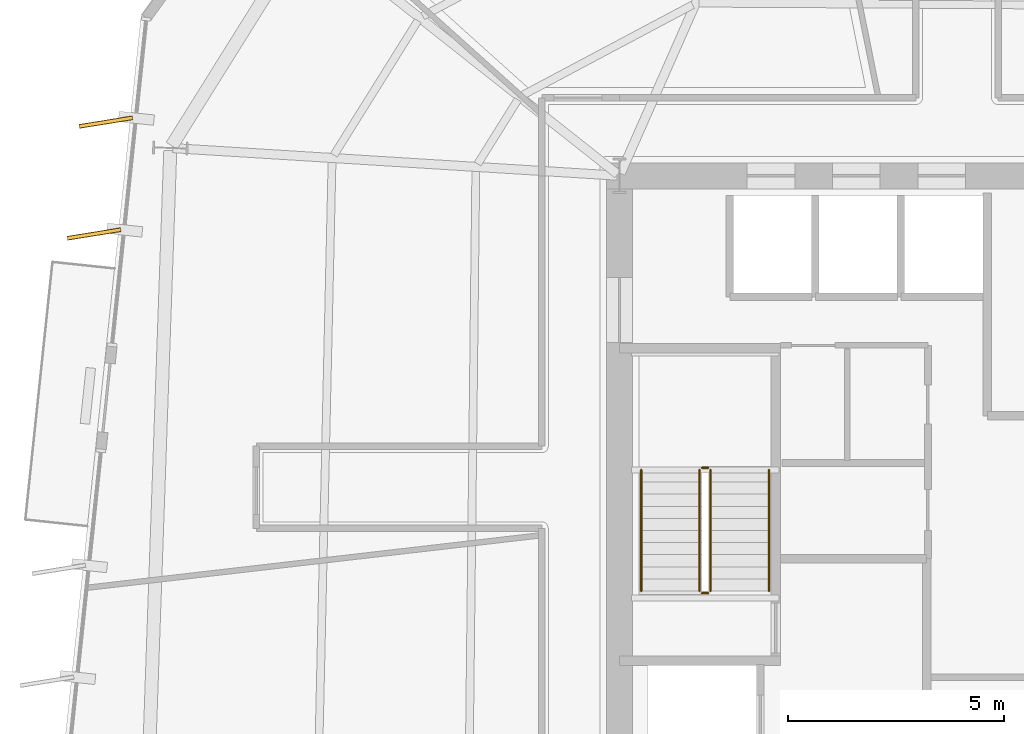
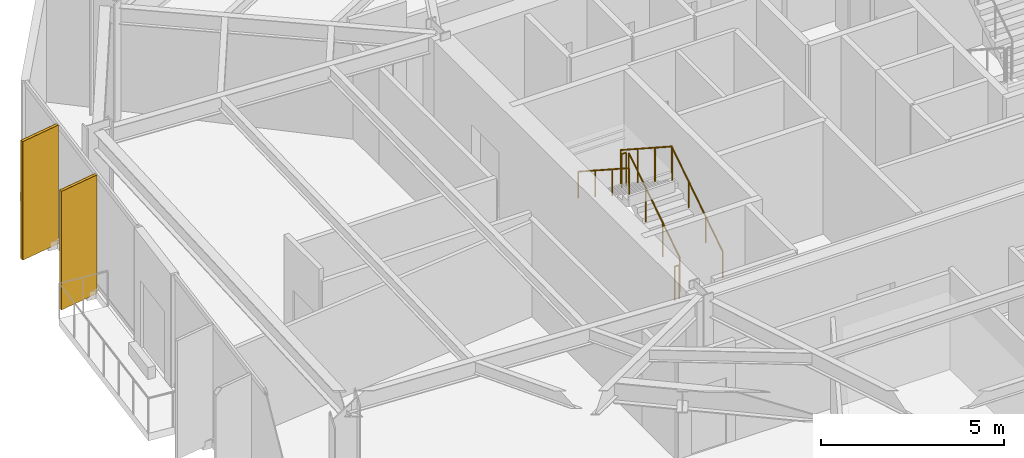
# One storey, part 10 of 13: 6 railings, 2 coverings, 2 shading devices.
"""IFC4 building model written with IfcOpenShell, lengths in metres."""

import ifcopenshell
import ifcopenshell.guid

model = None  # the IFC model being written
_history = None  # IfcOwnerHistory: only IFC2X3 demands one
_inside = {}  # id of a spatial element -> (the spatial element, [elements in it])
_under = {}  # id of a project, library or spatial element -> (it, [spatial elements below it])
_declared = {}  # id of a project -> (the project, [libraries it declares])
_typed = {}  # id of a type object -> (the type object, [elements of that type])
_made_of = {}  # id of a material, layer set ... -> (it, [elements and type objects made of it])


def new_model(schema):
    """Start an empty IFC model of exactly this schema.

    Asked for "IFC4X3", IfcOpenShell would pick the latest addendum, in which some entities
    have other attributes; the version numbers below select the first issue.
    IFC2X3 requires an IfcOwnerHistory on every rooted entity: one is made here for all.
    """
    global model, _history
    if schema == "IFC4X3":
        model = ifcopenshell.file(schema_version=(4, 3, 0, 0))
    else:
        model = ifcopenshell.file(schema=schema)
    _inside.clear()
    _under.clear()
    _declared.clear()
    _typed.clear()
    _made_of.clear()
    _history = None
    if model.schema == "IFC2X3":
        org = make("IfcOrganization", Name="unknown")
        user = make(
            "IfcPersonAndOrganization",
            ThePerson=make("IfcPerson", FamilyName="unknown"),
            TheOrganization=org,
        )
        app = make(
            "IfcApplication",
            ApplicationDeveloper=org,
            Version="unknown",
            ApplicationFullName="unknown",
            ApplicationIdentifier="unknown",
        )
        _history = make(
            "IfcOwnerHistory",
            OwningUser=user,
            OwningApplication=app,
            ChangeAction="ADDED",
            CreationDate=0,
        )
    return model


def make(cls, **values):
    """One entity of the class cls with the attributes given. An attribute that is None is left unset."""
    return model.create_entity(
        cls, **{name: value for name, value in values.items() if value is not None}
    )


def rooted(cls, **values):
    """An entity with a GlobalId (a new one), such as an element, a storey or a relation."""
    return make(cls, GlobalId=ifcopenshell.guid.new(), OwnerHistory=_history, **values)


def si_unit(unit_type, name, prefix=None):
    """IfcSIUnit, for example si_unit("LENGTHUNIT", "METRE", prefix="MILLI")."""
    return make("IfcSIUnit", UnitType=unit_type, Prefix=prefix, Name=name)


def assignment(units):
    """IfcUnitAssignment: the units of a project."""
    return None if units is None else make("IfcUnitAssignment", Units=units)


def point(xyz):
    """IfcCartesianPoint."""
    return None if xyz is None else make("IfcCartesianPoint", Coordinates=xyz)


def direction(xyz):
    """IfcDirection."""
    return None if xyz is None else make("IfcDirection", DirectionRatios=xyz)


def frame(location, z_axis=None, x_axis=None):
    """IfcAxis2Placement3D, a coordinate frame: its origin and axes. An axis left out is left unset."""
    return make(
        "IfcAxis2Placement3D",
        Location=point(location),
        Axis=direction(z_axis),
        RefDirection=direction(x_axis),
    )


def frame_2d(location, x_axis=None):
    """IfcAxis2Placement2D, a coordinate frame in the plane: its origin and x axis."""
    return make(
        "IfcAxis2Placement2D", Location=point(location), RefDirection=direction(x_axis)
    )


def origin():
    """The frame at (0, 0, 0) with its axes left unset."""
    return frame((0.0, 0.0, 0.0))


def origin_2d():
    """The frame at (0, 0) in the plane with its x axis left unset."""
    return frame_2d((0.0, 0.0))


def place(relative_to, where):
    """IfcLocalPlacement: puts the frame where relative to a parent placement (None: the world)."""
    return make(
        "IfcLocalPlacement", PlacementRelTo=relative_to, RelativePlacement=where
    )


def context(
    kind, dimensions, precision=None, world=None, true_north=None, identifier=None
):
    """IfcGeometricRepresentationContext, for example the 3D "Model" context."""
    return make(
        "IfcGeometricRepresentationContext",
        ContextIdentifier=identifier,
        ContextType=kind,
        CoordinateSpaceDimension=dimensions,
        Precision=precision,
        WorldCoordinateSystem=world,
        TrueNorth=true_north,
    )


def subcontext(parent, identifier, kind, view, scale=None):
    """IfcGeometricRepresentationSubContext, for example "Body" below "Model"."""
    return make(
        "IfcGeometricRepresentationSubContext",
        ContextIdentifier=identifier,
        ContextType=kind,
        ParentContext=parent,
        TargetScale=scale,
        TargetView=view,
    )


def project(units=None, contexts=None):
    """IfcProject with its units and contexts."""
    return rooted(
        "IfcProject",
        Name="project",
        RepresentationContexts=contexts,
        UnitsInContext=assignment(units),
    )


def spatial(cls, under=None, at=None, **own):
    """A site, building, storey or space (cls), placed at a placement, below another one or the project."""
    s = rooted(cls, ObjectPlacement=at, **own)
    if under is not None:
        _under.setdefault(under.id(), (under, []))[1].append(s)
    return s


def profile(cls, at=None, kind="AREA", **sizes):
    """A parametric profile (cls). Its sizes go by their IFC names, for example OverallWidth=200.0."""
    return make(cls, ProfileType=kind, Position=at, **sizes)


def rectangle(**sizes):
    """IfcRectangleProfileDef."""
    return profile("IfcRectangleProfileDef", **sizes)


def circle(**sizes):
    """IfcCircleProfileDef."""
    return profile("IfcCircleProfileDef", **sizes)


def extrude(swept, where, along, depth):
    """IfcExtrudedAreaSolid: the profile swept, set in the frame where, extruded along a direction by depth."""
    return make(
        "IfcExtrudedAreaSolid",
        SweptArea=swept,
        Position=where,
        ExtrudedDirection=direction(along),
        Depth=depth,
    )


def shape(context_of_items, identifier, shape_type, items):
    """IfcShapeRepresentation: the items that make up one representation, for example the "Body"."""
    return make(
        "IfcShapeRepresentation",
        ContextOfItems=context_of_items,
        RepresentationIdentifier=identifier,
        RepresentationType=shape_type,
        Items=items,
    )


def material(Name=None, Category=None):
    """IfcMaterial."""
    return make("IfcMaterial", Name=Name, Category=Category)


def layer(
    of_material, thickness, ventilated=None, Name=None, Category=None, Priority=None
):
    """IfcMaterialLayer: one layer of a wall or slab, of a material (None: an air gap)."""
    return make(
        "IfcMaterialLayer",
        Material=of_material,
        LayerThickness=thickness,
        IsVentilated=ventilated,
        Name=Name,
        Category=Category,
        Priority=Priority,
    )


def layer_set(layers, Name=None):
    """IfcMaterialLayerSet."""
    return make("IfcMaterialLayerSet", MaterialLayers=layers, LayerSetName=Name)


def made_of(thing, what):
    """Note that an element or type object is made of a material, layer set ...; save() writes the relation."""
    if what is not None:
        _made_of.setdefault(what.id(), (what, []))[1].append(thing)
    return thing


def type_object(cls, material=None, **own):
    """A type object (cls), such as IfcWallType, which elements share."""
    return made_of(rooted(cls, **own), material)


def element(
    cls,
    number,
    at=None,
    inside=None,
    cuts=None,
    type_object=None,
    material=None,
    context=None,
    identifier="Body",
    shape_type=None,
    held_by="IfcProductDefinitionShape",
    body=None,
    shapes=None,
    **own,
):
    """One element of the class cls, such as IfcWall. Its Tag is "e" and its number.

    at: its placement. inside: the storey or other place that contains it. cuts: it is an
    opening in that element (IfcRelVoidsElement). A single representation is given by context,
    identifier, shape_type and body (its items); several are given by shapes. held_by: the class
    of the entity that holds the representations. save() writes the other relations.
    """
    e = rooted(cls, Tag="e%d" % number, ObjectPlacement=at, **own)
    if body is not None:
        shapes = [shape(context, identifier, shape_type, body)]
    if shapes is not None:
        e.Representation = make(held_by, Representations=shapes)
    if inside is not None:
        _inside.setdefault(inside.id(), (inside, []))[1].append(e)
    if cuts is not None:
        rooted(
            "IfcRelVoidsElement", RelatingBuildingElement=cuts, RelatedOpeningElement=e
        )
    if type_object is not None:
        _typed.setdefault(type_object.id(), (type_object, []))[1].append(e)
    return made_of(e, material)


def aggregate(whole, parts):
    """IfcRelAggregates: a whole, such as a stair, and the parts it consists of."""
    return rooted("IfcRelAggregates", RelatingObject=whole, RelatedObjects=parts)


def save(model, path):
    """Write the relations noted so far, then the file.

    IfcRelAggregates (storeys below a building ...), IfcRelContainedInSpatialStructure (elements
    in a storey), IfcRelDefinesByType, IfcRelAssociatesMaterial and IfcRelDeclares: one each for
    every whole, place, type object, material and project.
    """
    for whole, parts in _under.values():
        aggregate(whole, parts)
    for where, things in _inside.values():
        rooted(
            "IfcRelContainedInSpatialStructure",
            RelatedElements=things,
            RelatingStructure=where,
        )
    for kind, things in _typed.values():
        rooted("IfcRelDefinesByType", RelatedObjects=things, RelatingType=kind)
    for what, things in _made_of.values():
        rooted("IfcRelAssociatesMaterial", RelatedObjects=things, RelatingMaterial=what)
    for by, libraries in _declared.values():
        rooted("IfcRelDeclares", RelatingContext=by, RelatedDefinitions=libraries)
    model.write(path)


model = new_model("IFC4")

# Units and contexts
model_context = context("Model", 3, precision=1e-05, world=origin(), true_north=direction((0.0, 1.0)))
body_context = subcontext(model_context, "Body", "Model", "MODEL_VIEW")
ifc_project = project(units=[si_unit("LENGTHUNIT", "METRE"), si_unit("AREAUNIT", "SQUARE_METRE"), si_unit("VOLUMEUNIT", "CUBIC_METRE"), si_unit("PLANEANGLEUNIT", "RADIAN"), si_unit("MASSUNIT", "GRAM", prefix="KILO")], contexts=[model_context])

# Site, building, storey
site_placement = place(None, origin())
site = spatial("IfcSite", under=ifc_project, at=site_placement, CompositionType="ELEMENT")
building_placement = place(site_placement, origin())
building = spatial("IfcBuilding", under=site, at=building_placement, Name="Kranzbogen Civic Tower", CompositionType="ELEMENT")
storey_placement = place(building_placement, frame((0.0, 0.0, 118.39990234375)))
storey = spatial("IfcBuildingStorey", under=building, at=storey_placement, Name="L28", CompositionType="ELEMENT", Elevation=118.39990234375)

# Coverings
ifc_material_1 = material(Name="Pale Anodised Aluminium", Category="aluminium")
ifc_layer = layer(ifc_material_1, 0.02490234375, Name="Pale Anodised Aluminium")
ifc_layer_set = layer_set([ifc_layer], Name="Pale Anodised Aluminium")
covering_type = type_object("IfcCoveringType", Name="Anodised Aluminium Vertical Fin Cladding 25 mm", PredefinedType="CLADDING", material=ifc_layer_set)
for number, where, z_axis, x_axis, name in (
    (1, (5.321044921875, 33.44091796875, -0.139892578125), (0.0, 0.0, 1.0), (-0.987350238478, -0.158554427807, 0.0), "L28 vertical fin pale-metal cladding F3-1"),
    (2, (5.049072265625, 30.85498046875, -0.139892578125), (0.0, 0.0, 1.0), (-0.987350238478, -0.158554427807, 0.0), "L28 vertical fin pale-metal cladding F3-2"),
):
    element("IfcCovering", number, at=place(storey_placement, frame(where, z_axis=z_axis, x_axis=x_axis)), inside=storey, type_object=covering_type, Name=name, PredefinedType="CLADDING", context=body_context, shape_type="SweptSolid", body=[
        extrude(rectangle(XDim=1.25, YDim=0.10009765625, at=origin_2d()), origin(), (0.0, 0.0, 1.0), 3.9599609375),
    ])

# Shading devices
ifc_material_2 = material(Name="Anodised Bronze Aluminium", Category="aluminium")
shading_device_type = type_object("IfcShadingDeviceType", Name="Anodised Bronze Vertical Facade Fin 1250x80", PredefinedType="USERDEFINED", material=ifc_material_2)
for number, where, z_axis, x_axis, name in (
    (3, (5.321044921875, 33.44091796875, -0.139892578125), (0.0, 0.0, 1.0), (-0.987350238478, -0.158554427807, 0.0), "L28 vertical exterior shading fin F3-1"),
    (4, (5.049072265625, 30.85498046875, -0.139892578125), (0.0, 0.0, 1.0), (-0.987350238478, -0.158554427807, 0.0), "L28 vertical exterior shading fin F3-2"),
):
    element("IfcShadingDevice", number, at=place(storey_placement, frame(where, z_axis=z_axis, x_axis=x_axis)), inside=storey, type_object=shading_device_type, Name=name, ObjectType="FIN", PredefinedType="USERDEFINED", context=body_context, shape_type="SweptSolid", body=[
        extrude(rectangle(XDim=1.25, YDim=0.080078125, at=origin_2d()), origin(), (0.0, 0.0, 1.0), 3.9599609375),
    ])

# Railings
ifc_material_3 = material(Name="Steel S355", Category="steel")
railing_type_1 = type_object("IfcRailingType", Name="Internal Stair and Void Steel Guardrail 1150", PredefinedType="GUARDRAIL", material=ifc_material_3)
railing_1_placement = place(storey_placement, frame((19.300048828125, 22.60009765625, 0.181884765625)))
element("IfcRailing", 5, at=railing_1_placement, inside=storey, type_object=railing_type_1, Name="L28 ST-T1 stair guard 1", PredefinedType="GUARDRAIL", context=body_context, shape_type="SweptSolid", body=[
    extrude(circle(Radius=0.02392578125, at=origin_2d()), frame((0.0, 0.0, 1.1259765625), z_axis=(0.0, 0.83868413941, 0.544618136222), x_axis=(-1.0, 0.0, 0.0)), (0.0, 0.0, 1.0), 3.33837890625),
    extrude(circle(Radius=0.02099609375, at=origin_2d()), origin(), (0.0, 0.0, 1.0), 1.101806640625),
    extrude(circle(Radius=0.02099609375, at=origin_2d()), frame((0.0, 0.933349609375, 0.60595703125)), (0.0, 0.0, 1.0), 1.101806640625),
    extrude(circle(Radius=0.02099609375, at=origin_2d()), frame((0.0, 1.866455078125, 1.212158203125)), (0.0, 0.0, 1.0), 1.101806640625),
    extrude(circle(Radius=0.02099609375, at=origin_2d()), frame((0.0, 2.7998046875, 1.818115234375)), (0.0, 0.0, 1.0), 1.101806640625),
])
railing_2_placement = place(storey_placement, frame((19.25, 25.449951171875, 2.0)))
element("IfcRailing", 6, at=railing_2_placement, inside=storey, type_object=railing_type_1, Name="L28 ST-T1 stair guard 2", PredefinedType="GUARDRAIL", context=body_context, shape_type="SweptSolid", body=[
    extrude(circle(Radius=0.02392578125, at=origin_2d()), frame((0.0, 0.0, 1.1259765625), z_axis=(-1.0, 0.0, 0.0), x_axis=(0.0, -1.0, 0.0)), (0.0, 0.0, 1.0), 0.14990234375),
    extrude(circle(Radius=0.02099609375, at=origin_2d()), origin(), (0.0, 0.0, 1.0), 1.101806640625),
    extrude(circle(Radius=0.02099609375, at=origin_2d()), frame((-0.14990234375, 0.0, 0.0)), (0.0, 0.0, 1.0), 1.101806640625),
])
railing_3_placement = place(storey_placement, frame((19.050048828125, 25.39990234375, 2.181884765625)))
element("IfcRailing", 7, at=railing_3_placement, inside=storey, type_object=railing_type_1, Name="L28 ST-T1 stair guard 3", PredefinedType="GUARDRAIL", context=body_context, shape_type="SweptSolid", body=[
    extrude(circle(Radius=0.02392578125, at=origin_2d()), frame((0.0, 0.0, 1.1259765625), z_axis=(0.0, -0.83868413941, 0.544618136222), x_axis=(1.0, 0.0, 0.0)), (0.0, 0.0, 1.0), 3.33837890625),
    extrude(circle(Radius=0.02099609375, at=origin_2d()), origin(), (0.0, 0.0, 1.0), 1.101806640625),
    extrude(circle(Radius=0.02099609375, at=origin_2d()), frame((0.0, -0.933349609375, 0.60595703125)), (0.0, 0.0, 1.0), 1.101806640625),
    extrude(circle(Radius=0.02099609375, at=origin_2d()), frame((0.0, -1.866455078125, 1.212158203125)), (0.0, 0.0, 1.0), 1.101806640625),
    extrude(circle(Radius=0.02099609375, at=origin_2d()), frame((0.0, -2.7998046875, 1.818115234375)), (0.0, 0.0, 1.0), 1.101806640625),
])
railing_4_placement = place(storey_placement, frame((19.25, 22.550048828125, 0.0)))
element("IfcRailing", 8, at=railing_4_placement, inside=storey, type_object=railing_type_1, Name="L28 ST-T1 stair guard 4", PredefinedType="GUARDRAIL", context=body_context, shape_type="SweptSolid", body=[
    extrude(circle(Radius=0.02392578125, at=origin_2d()), frame((0.0, 0.0, 1.1259765625), z_axis=(-1.0, 0.0, 0.0), x_axis=(0.0, -1.0, 0.0)), (0.0, 0.0, 1.0), 0.14990234375),
    extrude(circle(Radius=0.02099609375, at=origin_2d()), origin(), (0.0, 0.0, 1.0), 1.101806640625),
    extrude(circle(Radius=0.02099609375, at=origin_2d()), frame((-0.14990234375, 0.0, 0.0)), (0.0, 0.0, 1.0), 1.101806640625),
])
railing_type_2 = type_object("IfcRailingType", Name="Tubular Stainless Stair Wall Handrail 900", PredefinedType="HANDRAIL", material=ifc_material_1)
railing_5_placement = place(storey_placement, frame((20.64990234375, 22.60009765625, 0.181884765625)))
element("IfcRailing", 9, at=railing_5_placement, inside=storey, type_object=railing_type_2, Name="L28 ST-T1 stair handrail 1", PredefinedType="HANDRAIL", context=body_context, shape_type="SweptSolid", body=[
    extrude(circle(Radius=0.02392578125, at=origin_2d()), frame((0.0, 0.0, 0.8759765625), z_axis=(0.0, 0.83868413941, 0.544618136222), x_axis=(-1.0, 0.0, 0.0)), (0.0, 0.0, 1.0), 3.33837890625),
    extrude(circle(Radius=0.02099609375, at=origin_2d()), origin(), (0.0, 0.0, 1.0), 0.851806640625),
    extrude(circle(Radius=0.02099609375, at=origin_2d()), frame((0.0, 0.933349609375, 0.60595703125)), (0.0, 0.0, 1.0), 0.851806640625),
    extrude(circle(Radius=0.02099609375, at=origin_2d()), frame((0.0, 1.866455078125, 1.212158203125)), (0.0, 0.0, 1.0), 0.851806640625),
    extrude(circle(Radius=0.02099609375, at=origin_2d()), frame((0.0, 2.7998046875, 1.818115234375)), (0.0, 0.0, 1.0), 0.851806640625),
])
railing_6_placement = place(storey_placement, frame((17.699951171875, 25.39990234375, 2.181884765625)))
element("IfcRailing", 10, at=railing_6_placement, inside=storey, type_object=railing_type_2, Name="L28 ST-T1 stair handrail 2", PredefinedType="HANDRAIL", context=body_context, shape_type="SweptSolid", body=[
    extrude(circle(Radius=0.02392578125, at=origin_2d()), frame((0.0, 0.0, 0.8759765625), z_axis=(0.0, -0.83868413941, 0.544618136222), x_axis=(1.0, 0.0, 0.0)), (0.0, 0.0, 1.0), 3.33837890625),
    extrude(circle(Radius=0.02099609375, at=origin_2d()), origin(), (0.0, 0.0, 1.0), 0.851806640625),
    extrude(circle(Radius=0.02099609375, at=origin_2d()), frame((0.0, -0.933349609375, 0.60595703125)), (0.0, 0.0, 1.0), 0.851806640625),
    extrude(circle(Radius=0.02099609375, at=origin_2d()), frame((0.0, -1.866455078125, 1.212158203125)), (0.0, 0.0, 1.0), 0.851806640625),
    extrude(circle(Radius=0.02099609375, at=origin_2d()), frame((0.0, -2.7998046875, 1.818115234375)), (0.0, 0.0, 1.0), 0.851806640625),
])

save(model, "model.ifc")
